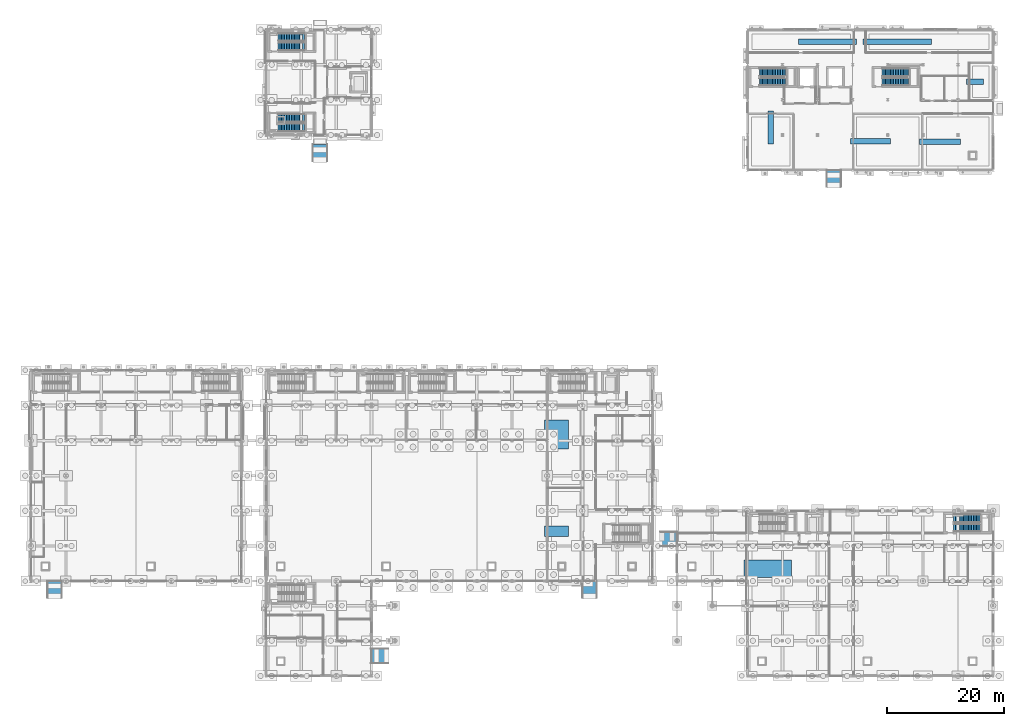
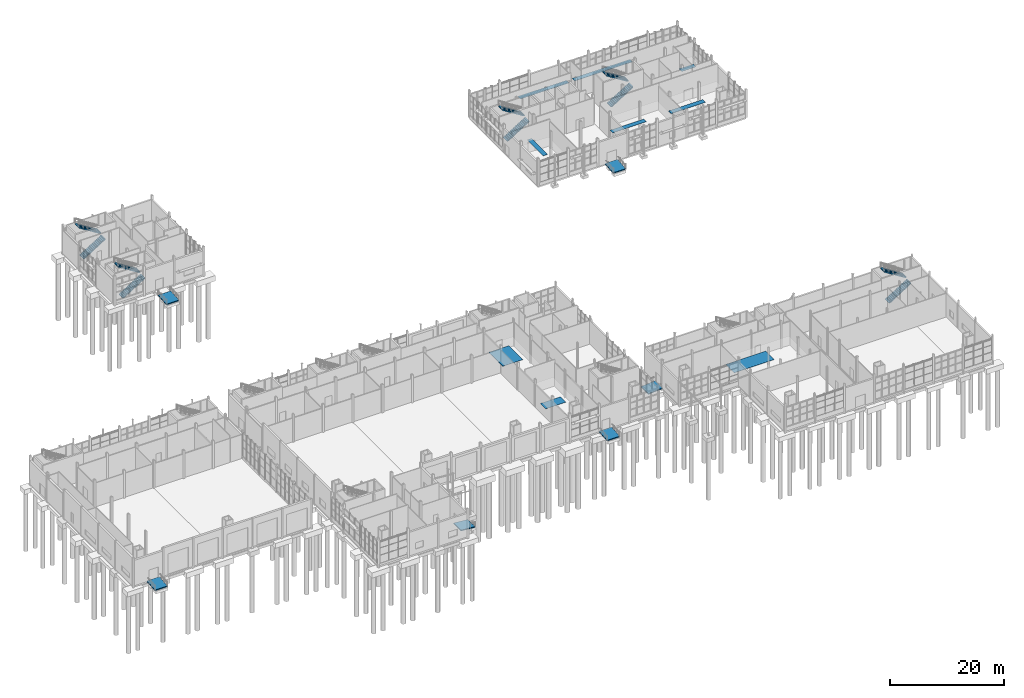
# One storey, part 106 of 120: 10 stair flights, 9 discrete accessories, 6 ramp flights, 11 elements without a shape of their own.
"""IFC4 building model written with IfcOpenShell, lengths in metres."""

from ifc_helpers import new_model, si_unit, direction, frame, origin, origin_2d, place, context, subcontext, project, spatial, polyline, rectangle, outline, extrude, material, layer, layer_set, type_object, element, aggregate, save


model = new_model("IFC4")

# Units and contexts
model_context = context("Model", 3, precision=1e-05, world=origin(), true_north=direction((0.0, 1.0)))
body_context = subcontext(model_context, "Body", "Model", "MODEL_VIEW")
ifc_project = project(units=[si_unit("LENGTHUNIT", "METRE"), si_unit("AREAUNIT", "SQUARE_METRE"), si_unit("VOLUMEUNIT", "CUBIC_METRE"), si_unit("PLANEANGLEUNIT", "RADIAN"), si_unit("MASSUNIT", "GRAM", prefix="KILO")], contexts=[model_context])

# Site, building, storey
site_placement = place(None, origin())
site = spatial("IfcSite", under=ifc_project, at=site_placement, CompositionType="ELEMENT")
building_placement = place(site_placement, origin())
building = spatial("IfcBuilding", under=site, at=building_placement, Name="Siltcreek Boulevard Central Fire Station", CompositionType="ELEMENT")
storey_placement = place(building_placement, origin())
storey = spatial("IfcBuildingStorey", under=building, at=storey_placement, Name="L01", CompositionType="ELEMENT", Elevation=0.0)

# Stair, stair flights
ifc_material_1 = material(Name="Precast concrete C40/50", Category="concrete")
stair_type = type_object("IfcStairType", Name="ST_DOG_H60", PredefinedType="HALF_TURN_STAIR", material=ifc_material_1)
stair_1_placement = place(storey_placement, origin())
stair_1 = element("IfcStair", 1, at=stair_1_placement, inside=storey, type_object=stair_type, Name="L01 Enclosed exit stairway ST-V3A", PredefinedType="HALF_TURN_STAIR")
stair_flight_type = type_object("IfcStairFlightType", Name="SF_DOG_H60", PredefinedType="STRAIGHT", material=ifc_material_1)
stair_flight_1_placement = place(storey_placement, frame((44.050048828125, 95.5, 0.0), z_axis=(0.0, 0.0, 1.0), x_axis=(1.0, 0.0, 0.0)))
stair_flight_1 = element("IfcStairFlight", 2, at=stair_flight_1_placement, type_object=stair_flight_type, Name="ST-V3A flight 1", NumberOfRisers=17, NumberOfTreads=16, PredefinedType="STRAIGHT", RiserHeight=0.176470588, TreadLength=0.28, context=body_context, shape_type="SweptSolid", body=[
    extrude(outline(polyline([(0.0, 0.0), (0.0, 0.176513671875), (0.280029296875, 0.176513671875), (0.280029296875, 0.35302734375), (0.56005859375, 0.35302734375), (0.56005859375, 0.529296875), (0.840087890625, 0.529296875), (0.840087890625, 0.705810546875), (1.1201171875, 0.705810546875), (1.1201171875, 0.88232421875), (1.39990234375, 0.88232421875), (1.39990234375, 1.058837890625), (1.679931640625, 1.058837890625), (1.679931640625, 1.2353515625), (1.9599609375, 1.2353515625), (1.9599609375, 1.411865234375), (2.239990234375, 1.411865234375), (2.239990234375, 1.588134765625), (2.52001953125, 1.588134765625), (2.52001953125, 1.7646484375), (2.800048828125, 1.7646484375), (2.800048828125, 1.941162109375), (3.080078125, 1.941162109375), (3.080078125, 2.11767578125), (3.360107421875, 2.11767578125), (3.360107421875, 2.294189453125), (3.639892578125, 2.294189453125), (3.639892578125, 2.470703125), (3.919921875, 2.470703125), (3.919921875, 2.64697265625), (4.199951171875, 2.64697265625), (4.199951171875, 2.823486328125), (4.47998046875, 2.823486328125), (4.47998046875, 3.0), (4.47998046875, 2.634521484375), (0.2998046875, 0.0), (0.0, 0.0)])), frame((0.0, 0.699951171875, 0.0), z_axis=(0.0, -1.0, 0.0), x_axis=(1.0, 0.0, 0.0)), (0.0, 0.0, 1.0), 1.39990234375),
])
stair_flight_2_placement = place(storey_placement, frame((48.530029296875, 97.10009765625, 3.0), z_axis=(0.0, 0.0, 1.0), x_axis=(-1.0, 0.0, 0.0)))
stair_flight_2 = element("IfcStairFlight", 3, at=stair_flight_2_placement, type_object=stair_flight_type, Name="ST-V3A flight 2", NumberOfRisers=17, NumberOfTreads=16, PredefinedType="STRAIGHT", RiserHeight=0.176470588, TreadLength=0.28, context=body_context, shape_type="SweptSolid", body=[
    extrude(outline(polyline([(0.0, 0.0), (0.0, 0.176513671875), (0.280029296875, 0.176513671875), (0.280029296875, 0.35302734375), (0.56005859375, 0.35302734375), (0.56005859375, 0.529296875), (0.840087890625, 0.529296875), (0.840087890625, 0.705810546875), (1.1201171875, 0.705810546875), (1.1201171875, 0.88232421875), (1.39990234375, 0.88232421875), (1.39990234375, 1.058837890625), (1.679931640625, 1.058837890625), (1.679931640625, 1.2353515625), (1.9599609375, 1.2353515625), (1.9599609375, 1.411865234375), (2.239990234375, 1.411865234375), (2.239990234375, 1.588134765625), (2.52001953125, 1.588134765625), (2.52001953125, 1.7646484375), (2.800048828125, 1.7646484375), (2.800048828125, 1.941162109375), (3.080078125, 1.941162109375), (3.080078125, 2.11767578125), (3.360107421875, 2.11767578125), (3.360107421875, 2.294189453125), (3.639892578125, 2.294189453125), (3.639892578125, 2.470703125), (3.919921875, 2.470703125), (3.919921875, 2.64697265625), (4.199951171875, 2.64697265625), (4.199951171875, 2.823486328125), (4.47998046875, 2.823486328125), (4.47998046875, 3.0), (4.47998046875, 2.634521484375), (0.2998046875, 0.0), (0.0, 0.0)])), frame((0.0, 0.699951171875, 0.0), z_axis=(0.0, -1.0, 0.0), x_axis=(1.0, 0.0, 0.0)), (0.0, 0.0, 1.0), 1.39990234375),
])
aggregate(stair_1, [stair_flight_1, stair_flight_2])

stair_2_placement = place(storey_placement, origin())
stair_2 = element("IfcStair", 4, at=stair_2_placement, inside=storey, type_object=stair_type, Name="L01 Enclosed exit stairway ST-V3B", PredefinedType="HALF_TURN_STAIR")
stair_flight_3_placement = place(storey_placement, frame((44.050048828125, 109.300048828125, 0.0), z_axis=(0.0, 0.0, 1.0), x_axis=(1.0, 0.0, 0.0)))
stair_flight_3 = element("IfcStairFlight", 5, at=stair_flight_3_placement, type_object=stair_flight_type, Name="ST-V3B flight 1", NumberOfRisers=17, NumberOfTreads=16, PredefinedType="STRAIGHT", RiserHeight=0.176470588, TreadLength=0.28, context=body_context, shape_type="SweptSolid", body=[
    extrude(outline(polyline([(0.0, 0.0), (0.0, 0.176513671875), (0.280029296875, 0.176513671875), (0.280029296875, 0.35302734375), (0.56005859375, 0.35302734375), (0.56005859375, 0.529296875), (0.840087890625, 0.529296875), (0.840087890625, 0.705810546875), (1.1201171875, 0.705810546875), (1.1201171875, 0.88232421875), (1.39990234375, 0.88232421875), (1.39990234375, 1.058837890625), (1.679931640625, 1.058837890625), (1.679931640625, 1.2353515625), (1.9599609375, 1.2353515625), (1.9599609375, 1.411865234375), (2.239990234375, 1.411865234375), (2.239990234375, 1.588134765625), (2.52001953125, 1.588134765625), (2.52001953125, 1.7646484375), (2.800048828125, 1.7646484375), (2.800048828125, 1.941162109375), (3.080078125, 1.941162109375), (3.080078125, 2.11767578125), (3.360107421875, 2.11767578125), (3.360107421875, 2.294189453125), (3.639892578125, 2.294189453125), (3.639892578125, 2.470703125), (3.919921875, 2.470703125), (3.919921875, 2.64697265625), (4.199951171875, 2.64697265625), (4.199951171875, 2.823486328125), (4.47998046875, 2.823486328125), (4.47998046875, 3.0), (4.47998046875, 2.634521484375), (0.2998046875, 0.0), (0.0, 0.0)])), frame((0.0, 0.699951171875, 0.0), z_axis=(0.0, -1.0, 0.0), x_axis=(1.0, 0.0, 0.0)), (0.0, 0.0, 1.0), 1.39990234375),
])
stair_flight_4_placement = place(storey_placement, frame((48.530029296875, 110.89990234375, 3.0), z_axis=(0.0, 0.0, 1.0), x_axis=(-1.0, 0.0, 0.0)))
stair_flight_4 = element("IfcStairFlight", 6, at=stair_flight_4_placement, type_object=stair_flight_type, Name="ST-V3B flight 2", NumberOfRisers=17, NumberOfTreads=16, PredefinedType="STRAIGHT", RiserHeight=0.176470588, TreadLength=0.28, context=body_context, shape_type="SweptSolid", body=[
    extrude(outline(polyline([(0.0, 0.0), (0.0, 0.176513671875), (0.280029296875, 0.176513671875), (0.280029296875, 0.35302734375), (0.56005859375, 0.35302734375), (0.56005859375, 0.529296875), (0.840087890625, 0.529296875), (0.840087890625, 0.705810546875), (1.1201171875, 0.705810546875), (1.1201171875, 0.88232421875), (1.39990234375, 0.88232421875), (1.39990234375, 1.058837890625), (1.679931640625, 1.058837890625), (1.679931640625, 1.2353515625), (1.9599609375, 1.2353515625), (1.9599609375, 1.411865234375), (2.239990234375, 1.411865234375), (2.239990234375, 1.588134765625), (2.52001953125, 1.588134765625), (2.52001953125, 1.7646484375), (2.800048828125, 1.7646484375), (2.800048828125, 1.941162109375), (3.080078125, 1.941162109375), (3.080078125, 2.11767578125), (3.360107421875, 2.11767578125), (3.360107421875, 2.294189453125), (3.639892578125, 2.294189453125), (3.639892578125, 2.470703125), (3.919921875, 2.470703125), (3.919921875, 2.64697265625), (4.199951171875, 2.64697265625), (4.199951171875, 2.823486328125), (4.47998046875, 2.823486328125), (4.47998046875, 3.0), (4.47998046875, 2.634521484375), (0.2998046875, 0.0), (0.0, 0.0)])), frame((0.0, 0.699951171875, 0.0), z_axis=(0.0, -1.0, 0.0), x_axis=(1.0, 0.0, 0.0)), (0.0, 0.0, 1.0), 1.39990234375),
])
aggregate(stair_2, [stair_flight_3, stair_flight_4])

stair_3_placement = place(storey_placement, origin())
stair_3 = element("IfcStair", 7, at=stair_3_placement, inside=storey, type_object=stair_type, Name="L01 Enclosed exit stairway ST-V5A", PredefinedType="HALF_TURN_STAIR")
stair_flight_5_placement = place(storey_placement, frame((126.25, 103.300048828125, 0.0), z_axis=(0.0, 0.0, 1.0), x_axis=(1.0, 0.0, 0.0)))
stair_flight_5 = element("IfcStairFlight", 8, at=stair_flight_5_placement, type_object=stair_flight_type, Name="ST-V5A flight 1", NumberOfRisers=17, NumberOfTreads=16, PredefinedType="STRAIGHT", RiserHeight=0.176470588, TreadLength=0.28, context=body_context, shape_type="SweptSolid", body=[
    extrude(outline(polyline([(0.0, 0.0), (0.0, 0.176513671875), (0.280029296875, 0.176513671875), (0.280029296875, 0.35302734375), (0.56005859375, 0.35302734375), (0.56005859375, 0.529296875), (0.840087890625, 0.529296875), (0.840087890625, 0.705810546875), (1.1201171875, 0.705810546875), (1.1201171875, 0.88232421875), (1.39990234375, 0.88232421875), (1.39990234375, 1.058837890625), (1.679931640625, 1.058837890625), (1.679931640625, 1.2353515625), (1.9599609375, 1.2353515625), (1.9599609375, 1.411865234375), (2.239990234375, 1.411865234375), (2.239990234375, 1.588134765625), (2.52001953125, 1.588134765625), (2.52001953125, 1.7646484375), (2.800048828125, 1.7646484375), (2.800048828125, 1.941162109375), (3.080078125, 1.941162109375), (3.080078125, 2.11767578125), (3.360107421875, 2.11767578125), (3.360107421875, 2.294189453125), (3.639892578125, 2.294189453125), (3.639892578125, 2.470703125), (3.919921875, 2.470703125), (3.919921875, 2.64697265625), (4.199951171875, 2.64697265625), (4.199951171875, 2.823486328125), (4.47998046875, 2.823486328125), (4.47998046875, 3.0), (4.47998046875, 2.634521484375), (0.2998046875, 0.0), (0.0, 0.0)])), frame((0.0, 0.699951171875, 0.0), z_axis=(0.0, -1.0, 0.0), x_axis=(1.0, 0.0, 0.0)), (0.0, 0.0, 1.0), 1.39990234375),
])
stair_flight_6_placement = place(storey_placement, frame((130.72998046875, 104.89990234375, 3.0), z_axis=(0.0, 0.0, 1.0), x_axis=(-1.0, 0.0, 0.0)))
stair_flight_6 = element("IfcStairFlight", 9, at=stair_flight_6_placement, type_object=stair_flight_type, Name="ST-V5A flight 2", NumberOfRisers=17, NumberOfTreads=16, PredefinedType="STRAIGHT", RiserHeight=0.176470588, TreadLength=0.28, context=body_context, shape_type="SweptSolid", body=[
    extrude(outline(polyline([(0.0, 0.0), (0.0, 0.176513671875), (0.280029296875, 0.176513671875), (0.280029296875, 0.35302734375), (0.56005859375, 0.35302734375), (0.56005859375, 0.529296875), (0.840087890625, 0.529296875), (0.840087890625, 0.705810546875), (1.1201171875, 0.705810546875), (1.1201171875, 0.88232421875), (1.39990234375, 0.88232421875), (1.39990234375, 1.058837890625), (1.679931640625, 1.058837890625), (1.679931640625, 1.2353515625), (1.9599609375, 1.2353515625), (1.9599609375, 1.411865234375), (2.239990234375, 1.411865234375), (2.239990234375, 1.588134765625), (2.52001953125, 1.588134765625), (2.52001953125, 1.7646484375), (2.800048828125, 1.7646484375), (2.800048828125, 1.941162109375), (3.080078125, 1.941162109375), (3.080078125, 2.11767578125), (3.360107421875, 2.11767578125), (3.360107421875, 2.294189453125), (3.639892578125, 2.294189453125), (3.639892578125, 2.470703125), (3.919921875, 2.470703125), (3.919921875, 2.64697265625), (4.199951171875, 2.64697265625), (4.199951171875, 2.823486328125), (4.47998046875, 2.823486328125), (4.47998046875, 3.0), (4.47998046875, 2.634521484375), (0.2998046875, 0.0), (0.0, 0.0)])), frame((0.0, 0.699951171875, 0.0), z_axis=(0.0, -1.0, 0.0), x_axis=(1.0, 0.0, 0.0)), (0.0, 0.0, 1.0), 1.39990234375),
])
aggregate(stair_3, [stair_flight_5, stair_flight_6])

stair_4_placement = place(storey_placement, origin())
stair_4 = element("IfcStair", 10, at=stair_4_placement, inside=storey, type_object=stair_type, Name="L01 Enclosed exit stairway ST-V5B", PredefinedType="HALF_TURN_STAIR")
stair_flight_7_placement = place(storey_placement, frame((147.25, 103.300048828125, 0.0), z_axis=(0.0, 0.0, 1.0), x_axis=(1.0, 0.0, 0.0)))
stair_flight_7 = element("IfcStairFlight", 11, at=stair_flight_7_placement, type_object=stair_flight_type, Name="ST-V5B flight 1", NumberOfRisers=17, NumberOfTreads=16, PredefinedType="STRAIGHT", RiserHeight=0.176470588, TreadLength=0.28, context=body_context, shape_type="SweptSolid", body=[
    extrude(outline(polyline([(0.0, 0.0), (0.0, 0.176513671875), (0.280029296875, 0.176513671875), (0.280029296875, 0.35302734375), (0.56005859375, 0.35302734375), (0.56005859375, 0.529296875), (0.840087890625, 0.529296875), (0.840087890625, 0.705810546875), (1.1201171875, 0.705810546875), (1.1201171875, 0.88232421875), (1.39990234375, 0.88232421875), (1.39990234375, 1.058837890625), (1.679931640625, 1.058837890625), (1.679931640625, 1.2353515625), (1.9599609375, 1.2353515625), (1.9599609375, 1.411865234375), (2.239990234375, 1.411865234375), (2.239990234375, 1.588134765625), (2.52001953125, 1.588134765625), (2.52001953125, 1.7646484375), (2.800048828125, 1.7646484375), (2.800048828125, 1.941162109375), (3.080078125, 1.941162109375), (3.080078125, 2.11767578125), (3.360107421875, 2.11767578125), (3.360107421875, 2.294189453125), (3.639892578125, 2.294189453125), (3.639892578125, 2.470703125), (3.919921875, 2.470703125), (3.919921875, 2.64697265625), (4.199951171875, 2.64697265625), (4.199951171875, 2.823486328125), (4.47998046875, 2.823486328125), (4.47998046875, 3.0), (4.47998046875, 2.634521484375), (0.2998046875, 0.0), (0.0, 0.0)])), frame((0.0, 0.699951171875, 0.0), z_axis=(0.0, -1.0, 0.0), x_axis=(1.0, 0.0, 0.0)), (0.0, 0.0, 1.0), 1.39990234375),
])
stair_flight_8_placement = place(storey_placement, frame((151.72998046875, 104.89990234375, 3.0), z_axis=(0.0, 0.0, 1.0), x_axis=(-1.0, 0.0, 0.0)))
stair_flight_8 = element("IfcStairFlight", 12, at=stair_flight_8_placement, type_object=stair_flight_type, Name="ST-V5B flight 2", NumberOfRisers=17, NumberOfTreads=16, PredefinedType="STRAIGHT", RiserHeight=0.176470588, TreadLength=0.28, context=body_context, shape_type="SweptSolid", body=[
    extrude(outline(polyline([(0.0, 0.0), (0.0, 0.176513671875), (0.280029296875, 0.176513671875), (0.280029296875, 0.35302734375), (0.56005859375, 0.35302734375), (0.56005859375, 0.529296875), (0.840087890625, 0.529296875), (0.840087890625, 0.705810546875), (1.1201171875, 0.705810546875), (1.1201171875, 0.88232421875), (1.39990234375, 0.88232421875), (1.39990234375, 1.058837890625), (1.679931640625, 1.058837890625), (1.679931640625, 1.2353515625), (1.9599609375, 1.2353515625), (1.9599609375, 1.411865234375), (2.239990234375, 1.411865234375), (2.239990234375, 1.588134765625), (2.52001953125, 1.588134765625), (2.52001953125, 1.7646484375), (2.800048828125, 1.7646484375), (2.800048828125, 1.941162109375), (3.080078125, 1.941162109375), (3.080078125, 2.11767578125), (3.360107421875, 2.11767578125), (3.360107421875, 2.294189453125), (3.639892578125, 2.294189453125), (3.639892578125, 2.470703125), (3.919921875, 2.470703125), (3.919921875, 2.64697265625), (4.199951171875, 2.64697265625), (4.199951171875, 2.823486328125), (4.47998046875, 2.823486328125), (4.47998046875, 3.0), (4.47998046875, 2.634521484375), (0.2998046875, 0.0), (0.0, 0.0)])), frame((0.0, 0.699951171875, 0.0), z_axis=(0.0, -1.0, 0.0), x_axis=(1.0, 0.0, 0.0)), (0.0, 0.0, 1.0), 1.39990234375),
])
aggregate(stair_4, [stair_flight_7, stair_flight_8])

stair_5_placement = place(storey_placement, origin())
stair_5 = element("IfcStair", 13, at=stair_5_placement, inside=storey, type_object=stair_type, Name="L01 Enclosed exit stairway ST-V6B", PredefinedType="HALF_TURN_STAIR")
stair_flight_9_placement = place(storey_placement, frame((159.449951171875, 27.10009765625, 0.0), z_axis=(0.0, 0.0, 1.0), x_axis=(1.0, 0.0, 0.0)))
stair_flight_9 = element("IfcStairFlight", 14, at=stair_flight_9_placement, type_object=stair_flight_type, Name="ST-V6B flight 1", NumberOfRisers=17, NumberOfTreads=16, PredefinedType="STRAIGHT", RiserHeight=0.176470588, TreadLength=0.28, context=body_context, shape_type="SweptSolid", body=[
    extrude(outline(polyline([(0.0, 0.0), (0.0, 0.176513671875), (0.280029296875, 0.176513671875), (0.280029296875, 0.35302734375), (0.56005859375, 0.35302734375), (0.56005859375, 0.529296875), (0.840087890625, 0.529296875), (0.840087890625, 0.705810546875), (1.1201171875, 0.705810546875), (1.1201171875, 0.88232421875), (1.39990234375, 0.88232421875), (1.39990234375, 1.058837890625), (1.679931640625, 1.058837890625), (1.679931640625, 1.2353515625), (1.9599609375, 1.2353515625), (1.9599609375, 1.411865234375), (2.239990234375, 1.411865234375), (2.239990234375, 1.588134765625), (2.52001953125, 1.588134765625), (2.52001953125, 1.7646484375), (2.800048828125, 1.7646484375), (2.800048828125, 1.941162109375), (3.080078125, 1.941162109375), (3.080078125, 2.11767578125), (3.360107421875, 2.11767578125), (3.360107421875, 2.294189453125), (3.639892578125, 2.294189453125), (3.639892578125, 2.470703125), (3.919921875, 2.470703125), (3.919921875, 2.64697265625), (4.199951171875, 2.64697265625), (4.199951171875, 2.823486328125), (4.47998046875, 2.823486328125), (4.47998046875, 3.0), (4.47998046875, 2.634521484375), (0.2998046875, 0.0), (0.0, 0.0)])), frame((0.0, 0.699951171875, 0.0), z_axis=(0.0, -1.0, 0.0), x_axis=(1.0, 0.0, 0.0)), (0.0, 0.0, 1.0), 1.39990234375),
])
stair_flight_10_placement = place(storey_placement, frame((163.929931640625, 28.699951171875, 3.0), z_axis=(0.0, 0.0, 1.0), x_axis=(-1.0, 0.0, 0.0)))
stair_flight_10 = element("IfcStairFlight", 15, at=stair_flight_10_placement, type_object=stair_flight_type, Name="ST-V6B flight 2", NumberOfRisers=17, NumberOfTreads=16, PredefinedType="STRAIGHT", RiserHeight=0.176470588, TreadLength=0.28, context=body_context, shape_type="SweptSolid", body=[
    extrude(outline(polyline([(0.0, 0.0), (0.0, 0.176513671875), (0.280029296875, 0.176513671875), (0.280029296875, 0.35302734375), (0.56005859375, 0.35302734375), (0.56005859375, 0.529296875), (0.840087890625, 0.529296875), (0.840087890625, 0.705810546875), (1.1201171875, 0.705810546875), (1.1201171875, 0.88232421875), (1.39990234375, 0.88232421875), (1.39990234375, 1.058837890625), (1.679931640625, 1.058837890625), (1.679931640625, 1.2353515625), (1.9599609375, 1.2353515625), (1.9599609375, 1.411865234375), (2.239990234375, 1.411865234375), (2.239990234375, 1.588134765625), (2.52001953125, 1.588134765625), (2.52001953125, 1.7646484375), (2.800048828125, 1.7646484375), (2.800048828125, 1.941162109375), (3.080078125, 1.941162109375), (3.080078125, 2.11767578125), (3.360107421875, 2.11767578125), (3.360107421875, 2.294189453125), (3.639892578125, 2.294189453125), (3.639892578125, 2.470703125), (3.919921875, 2.470703125), (3.919921875, 2.64697265625), (4.199951171875, 2.64697265625), (4.199951171875, 2.823486328125), (4.47998046875, 2.823486328125), (4.47998046875, 3.0), (4.47998046875, 2.634521484375), (0.2998046875, 0.0), (0.0, 0.0)])), frame((0.0, 0.699951171875, 0.0), z_axis=(0.0, -1.0, 0.0), x_axis=(1.0, 0.0, 0.0)), (0.0, 0.0, 1.0), 1.39990234375),
])
aggregate(stair_5, [stair_flight_9, stair_flight_10])

# Ramp, ramp flight
ifc_material_2 = material(Name="Concrete C35/45", Category="concrete")
ramp_type = type_object("IfcRampType", Name="RMP_ACC_160", PredefinedType="STRAIGHT_RUN_RAMP", material=ifc_material_2)
ramp_1_placement = place(storey_placement, origin())
ramp_1 = element("IfcRamp", 16, at=ramp_1_placement, inside=storey, type_object=ramp_type, Name="Accessible Pedestrian Entry Ramp RM-01", PredefinedType="STRAIGHT_RUN_RAMP")
ifc_layer = layer(ifc_material_2, 0.199951171875, Name="Concrete C35/45")
ifc_layer_set = layer_set([ifc_layer], Name="Concrete C35/45")
ramp_flight_type = type_object("IfcRampFlightType", Name="RMPF_ACC_160", PredefinedType="STRAIGHT", material=ifc_layer_set)
ramp_flight_1_placement = place(storey_placement, frame((62.800048828125, 5.199951171875, -0.239990234375), z_axis=(0.0, 0.0, 1.0), x_axis=(-1.0, 0.0, 0.0)))
ramp_flight_1 = element("IfcRampFlight", 17, at=ramp_flight_1_placement, type_object=ramp_flight_type, Name="Accessible Pedestrian Entry Ramp RM-01 flight", PredefinedType="STRAIGHT", context=body_context, shape_type="SweptSolid", body=[
    extrude(outline(polyline([(0.0, 0.0), (0.0, -0.199951171875), (2.8798828125, 0.0400390625), (2.8798828125, 0.239990234375), (0.0, 0.0)])), frame((0.0, 1.27490234375, 0.0), z_axis=(0.0, -1.0, 0.0), x_axis=(1.0, 0.0, 0.0)), (0.0, 0.0, 1.0), 2.550048828125),
])
aggregate(ramp_1, [ramp_flight_1])

ramp_2_placement = place(storey_placement, origin())
ramp_2 = element("IfcRamp", 18, at=ramp_2_placement, inside=storey, type_object=ramp_type, Name="Accessible Pedestrian Entry Ramp RM-02", PredefinedType="STRAIGHT_RUN_RAMP")
ramp_flight_2_placement = place(storey_placement, frame((97.25, 15.179931640625, -0.239990234375), z_axis=(0.0, 0.0, 1.0), x_axis=(0.0, 1.0, 0.0)))
ramp_flight_2 = element("IfcRampFlight", 19, at=ramp_flight_2_placement, type_object=ramp_flight_type, Name="Accessible Pedestrian Entry Ramp RM-02 flight", PredefinedType="STRAIGHT", context=body_context, shape_type="SweptSolid", body=[
    extrude(outline(polyline([(0.0, 0.0), (0.0, -0.199951171875), (2.8798828125, 0.0400390625), (2.8798828125, 0.239990234375), (0.0, 0.0)])), frame((0.0, 1.27490234375, 0.0), z_axis=(0.0, -1.0, 0.0), x_axis=(1.0, 0.0, 0.0)), (0.0, 0.0, 1.0), 2.550048828125),
])
aggregate(ramp_2, [ramp_flight_2])

ramp_3_placement = place(storey_placement, origin())
ramp_3 = element("IfcRamp", 20, at=ramp_3_placement, inside=storey, type_object=ramp_type, Name="Accessible Pedestrian Entry Ramp RM-03", PredefinedType="STRAIGHT_RUN_RAMP")
ramp_flight_3_placement = place(storey_placement, frame((109.3798828125, 25.179931640625, -0.239990234375), z_axis=(0.0, 0.0, 1.0), x_axis=(1.0, 0.0, 0.0)))
ramp_flight_3 = element("IfcRampFlight", 21, at=ramp_flight_3_placement, type_object=ramp_flight_type, Name="Accessible Pedestrian Entry Ramp RM-03 flight", PredefinedType="STRAIGHT", context=body_context, shape_type="SweptSolid", body=[
    extrude(outline(polyline([(0.0, 0.0), (0.0, -0.199951171875), (2.8798828125, 0.0400390625), (2.8798828125, 0.239990234375), (0.0, 0.0)])), frame((0.0, 1.27490234375, 0.0), z_axis=(0.0, -1.0, 0.0), x_axis=(1.0, 0.0, 0.0)), (0.0, 0.0, 1.0), 2.550048828125),
])
aggregate(ramp_3, [ramp_flight_3])

ramp_4_placement = place(storey_placement, origin())
ramp_4 = element("IfcRamp", 22, at=ramp_4_placement, inside=storey, type_object=ramp_type, Name="Accessible Pedestrian Entry Ramp RM-04", PredefinedType="STRAIGHT_RUN_RAMP")
ramp_flight_4_placement = place(storey_placement, frame((139.0, 85.3798828125, -0.239990234375), z_axis=(0.0, 0.0, 1.0), x_axis=(0.0, 1.0, 0.0)))
ramp_flight_4 = element("IfcRampFlight", 23, at=ramp_flight_4_placement, type_object=ramp_flight_type, Name="Accessible Pedestrian Entry Ramp RM-04 flight", PredefinedType="STRAIGHT", context=body_context, shape_type="SweptSolid", body=[
    extrude(outline(polyline([(0.0, 0.0), (0.0, -0.199951171875), (2.8798828125, 0.0400390625), (2.8798828125, 0.239990234375), (0.0, 0.0)])), frame((0.0, 1.27490234375, 0.0), z_axis=(0.0, -1.0, 0.0), x_axis=(1.0, 0.0, 0.0)), (0.0, 0.0, 1.0), 2.550048828125),
])
aggregate(ramp_4, [ramp_flight_4])

ramp_5_placement = place(storey_placement, origin())
ramp_5 = element("IfcRamp", 24, at=ramp_5_placement, inside=storey, type_object=ramp_type, Name="Accessible Pedestrian Entry Ramp RM-05", PredefinedType="STRAIGHT_RUN_RAMP")
ramp_flight_5_placement = place(storey_placement, frame((5.85009765625, 15.179931640625, -0.239990234375), z_axis=(0.0, 0.0, 1.0), x_axis=(0.0, 1.0, 0.0)))
ramp_flight_5 = element("IfcRampFlight", 25, at=ramp_flight_5_placement, type_object=ramp_flight_type, Name="Accessible Pedestrian Entry Ramp RM-05 flight", PredefinedType="STRAIGHT", context=body_context, shape_type="SweptSolid", body=[
    extrude(outline(polyline([(0.0, 0.0), (0.0, -0.199951171875), (2.8798828125, 0.0400390625), (2.8798828125, 0.239990234375), (0.0, 0.0)])), frame((0.0, 1.27490234375, 0.0), z_axis=(0.0, -1.0, 0.0), x_axis=(1.0, 0.0, 0.0)), (0.0, 0.0, 1.0), 2.550048828125),
])
aggregate(ramp_5, [ramp_flight_5])

ramp_6_placement = place(storey_placement, origin())
ramp_6 = element("IfcRamp", 26, at=ramp_6_placement, inside=storey, type_object=ramp_type, Name="Accessible Pedestrian Entry Ramp RM-06", PredefinedType="STRAIGHT_RUN_RAMP")
ramp_flight_6_placement = place(storey_placement, frame((51.199951171875, 89.719970703125, -0.239990234375), z_axis=(0.0, 0.0, 1.0), x_axis=(0.0, 1.0, 0.0)))
ramp_flight_6 = element("IfcRampFlight", 27, at=ramp_flight_6_placement, type_object=ramp_flight_type, Name="Accessible Pedestrian Entry Ramp RM-06 flight", PredefinedType="STRAIGHT", context=body_context, shape_type="SweptSolid", body=[
    extrude(outline(polyline([(0.0, 0.0), (0.0, -0.199951171875), (2.8798828125, 0.0400390625), (2.8798828125, 0.239990234375), (0.0, 0.0)])), frame((0.0, 1.27490234375, 0.0), z_axis=(0.0, -1.0, 0.0), x_axis=(1.0, 0.0, 0.0)), (0.0, 0.0, 1.0), 2.550048828125),
])
aggregate(ramp_6, [ramp_flight_6])

# Discrete accessories
ifc_material_3 = material(Name="Hot-dip galvanized steel facade outrigger bracket", Category="steel")
discrete_accessory_type = type_object("IfcDiscreteAccessoryType", Name="ACC_BRACKET", PredefinedType="BRACKET", material=ifc_material_3)
discrete_accessory_1_placement = place(storey_placement, frame((91.58251953125, 26.512451171875, 2.411865234375), z_axis=(0.0, 0.0, 1.0), x_axis=(1.0, 0.0, 0.0)))
element("IfcDiscreteAccessory", 28, at=discrete_accessory_1_placement, inside=storey, type_object=discrete_accessory_type, Name="L01 acoustic ceiling wall ledger bracket 002", PredefinedType="BRACKET", context=body_context, shape_type="SweptSolid", body=[
    extrude(rectangle(XDim=4.06494140625, YDim=1.875, at=origin_2d()), origin(), (0.0, 0.0, 1.0), 0.0400390625),
])
discrete_accessory_2_placement = place(storey_placement, frame((91.58251953125, 43.032470703125, 2.411865234375), z_axis=(0.0, 0.0, 1.0), x_axis=(1.0, 0.0, 0.0)))
element("IfcDiscreteAccessory", 29, at=discrete_accessory_2_placement, inside=storey, type_object=discrete_accessory_type, Name="L01 acoustic ceiling wall ledger bracket 003", PredefinedType="BRACKET", context=body_context, shape_type="SweptSolid", body=[
    extrude(rectangle(XDim=4.06494140625, YDim=4.9150390625, at=origin_2d()), origin(), (0.0, 0.0, 1.0), 0.0400390625),
])
discrete_accessory_3_placement = place(storey_placement, frame((128.236083984375, 95.472412109375, 2.411865234375), z_axis=(0.0, 0.0, 1.0), x_axis=(1.0, 0.0, 0.0)))
element("IfcDiscreteAccessory", 30, at=discrete_accessory_3_placement, inside=storey, type_object=discrete_accessory_type, Name="L01 acoustic ceiling wall ledger bracket 004", PredefinedType="BRACKET", context=body_context, shape_type="SweptSolid", body=[
    extrude(rectangle(XDim=0.922607421875, YDim=5.635009765625, at=origin_2d()), origin(), (0.0, 0.0, 1.0), 0.0400390625),
])
discrete_accessory_4_placement = place(storey_placement, frame((145.222412109375, 93.1162109375, 2.411865234375), z_axis=(0.0, 0.0, 1.0), x_axis=(1.0, 0.0, 0.0)))
element("IfcDiscreteAccessory", 31, at=discrete_accessory_4_placement, inside=storey, type_object=discrete_accessory_type, Name="L01 acoustic ceiling wall ledger bracket 005", PredefinedType="BRACKET", context=body_context, shape_type="SweptSolid", body=[
    extrude(rectangle(XDim=6.804931640625, YDim=0.922607421875, at=origin_2d()), origin(), (0.0, 0.0, 1.0), 0.0400390625),
])
discrete_accessory_5_placement = place(storey_placement, frame((157.114990234375, 93.086181640625, 2.411865234375), z_axis=(0.0, 0.0, 1.0), x_axis=(1.0, 0.0, 0.0)))
element("IfcDiscreteAccessory", 32, at=discrete_accessory_5_placement, inside=storey, type_object=discrete_accessory_type, Name="L01 acoustic ceiling wall ledger bracket 006", PredefinedType="BRACKET", context=body_context, shape_type="SweptSolid", body=[
    extrude(rectangle(XDim=6.969970703125, YDim=0.9375, at=origin_2d()), origin(), (0.0, 0.0, 1.0), 0.0400390625),
])
discrete_accessory_6_placement = place(storey_placement, frame((137.927490234375, 110.140625, 2.411865234375), z_axis=(0.0, 0.0, 1.0), x_axis=(1.0, 0.0, 0.0)))
element("IfcDiscreteAccessory", 33, at=discrete_accessory_6_placement, inside=storey, type_object=discrete_accessory_type, Name="L01 acoustic ceiling wall ledger bracket 007", PredefinedType="BRACKET", context=body_context, shape_type="SweptSolid", body=[
    extrude(rectangle(XDim=9.905029296875, YDim=0.911376953125, at=origin_2d()), origin(), (0.0, 0.0, 1.0), 0.0400390625),
])
discrete_accessory_7_placement = place(storey_placement, frame((149.83740234375, 110.140625, 2.411865234375), z_axis=(0.0, 0.0, 1.0), x_axis=(1.0, 0.0, 0.0)))
element("IfcDiscreteAccessory", 34, at=discrete_accessory_7_placement, inside=storey, type_object=discrete_accessory_type, Name="L01 acoustic ceiling wall ledger bracket 008", PredefinedType="BRACKET", context=body_context, shape_type="SweptSolid", body=[
    extrude(rectangle(XDim=11.695068359375, YDim=0.911376953125, at=origin_2d()), origin(), (0.0, 0.0, 1.0), 0.0400390625),
])
discrete_accessory_8_placement = place(storey_placement, frame((163.097412109375, 103.284912109375, 2.411865234375), z_axis=(0.0, 0.0, 1.0), x_axis=(1.0, 0.0, 0.0)))
element("IfcDiscreteAccessory", 35, at=discrete_accessory_8_placement, inside=storey, type_object=discrete_accessory_type, Name="L01 acoustic ceiling wall ledger bracket 009", PredefinedType="BRACKET", context=body_context, shape_type="SweptSolid", body=[
    extrude(rectangle(XDim=2.85498046875, YDim=0.89990234375, at=origin_2d()), origin(), (0.0, 0.0, 1.0), 0.0400390625),
])
discrete_accessory_9_placement = place(storey_placement, frame((127.68505859375, 20.0712890625, 2.411865234375), z_axis=(0.0, 0.0, 1.0), x_axis=(1.0, 0.0, 0.0)))
element("IfcDiscreteAccessory", 36, at=discrete_accessory_9_placement, inside=storey, type_object=discrete_accessory_type, Name="L01 acoustic ceiling wall ledger bracket 010", PredefinedType="BRACKET", context=body_context, shape_type="SweptSolid", body=[
    extrude(rectangle(XDim=8.110107421875, YDim=2.982421875, at=origin_2d()), origin(), (0.0, 0.0, 1.0), 0.0400390625),
])

save(model, "model.ifc")
